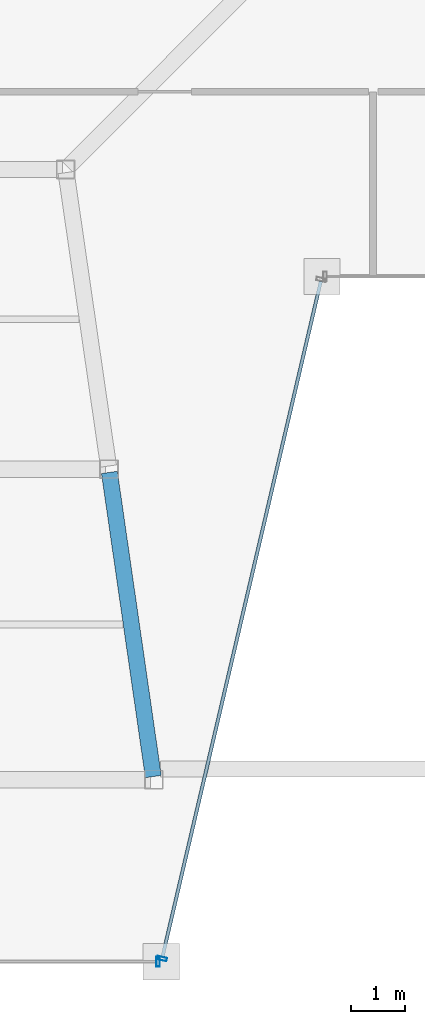
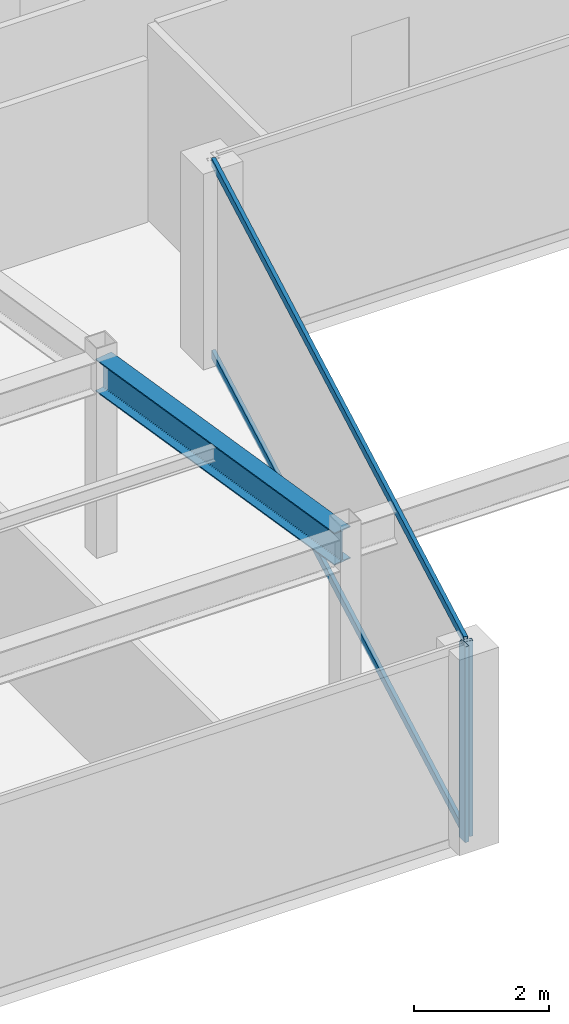
# One storey, part 6 of 32: 4 members, 1 beam, 2 elements without a shape of their own.
"""IFC4 building model written with IfcOpenShell, lengths in metres."""

from ifc_helpers import new_model, si_unit, direction, frame, origin, origin_2d, place, context, subcontext, project, spatial, hollow_rectangle, i_section, extrude, material, material_profile, profile_set, type_object, element, aggregate, save


model = new_model("IFC4")

# Units and contexts
model_context = context("Model", 3, precision=1e-05, world=origin(), true_north=direction((0.0, 1.0)))
body_context = subcontext(model_context, "Body", "Model", "MODEL_VIEW")
ifc_project = project(units=[si_unit("LENGTHUNIT", "METRE"), si_unit("AREAUNIT", "SQUARE_METRE"), si_unit("VOLUMEUNIT", "CUBIC_METRE"), si_unit("PLANEANGLEUNIT", "RADIAN"), si_unit("MASSUNIT", "GRAM", prefix="KILO")], contexts=[model_context])

# Site, building, storey
site_placement = place(None, origin())
site = spatial("IfcSite", under=ifc_project, at=site_placement, CompositionType="ELEMENT")
building_placement = place(site_placement, origin())
building = spatial("IfcBuilding", under=site, at=building_placement, Name="Saevonmaru Cultural Tower", CompositionType="ELEMENT")
storey_placement = place(building_placement, frame((0.0, 0.0, 257.199951171875)))
storey = spatial("IfcBuildingStorey", under=building, at=storey_placement, Name="L60", CompositionType="ELEMENT", Elevation=257.199951171875)

# Beam
ifc_material_1 = material(Name="Steel SM355", Category="steel")
ifc_material_profile_1 = material_profile(ifc_material_1, i_section(OverallWidth=0.300048828125, OverallDepth=0.587890625, WebThickness=0.011962890625, FlangeThickness=0.02001953125, FilletRadius=0.02392578125, at=origin_2d()), Name="H-588x300x12x20")
ifc_profile_set_1 = profile_set([ifc_material_profile_1], Name="Steel SM355")
beam_type = type_object("IfcBeamType", Name="BM-G-H588", PredefinedType="BEAM", material=ifc_profile_set_1)
beam_placement = place(storey_placement, frame((20.4453125, 26.259521484375, 3.256103515625), z_axis=(-0.142826510921, 0.989747739466, 0.0), x_axis=(-0.989747739466, -0.142826510921, 0.0)))
element("IfcBeam", 1, at=beam_placement, inside=storey, type_object=beam_type, Name="L60 West Atrium Girder 1", PredefinedType="BEAM", context=body_context, shape_type="SweptSolid", body=[
    extrude(i_section(OverallWidth=0.300048828125, OverallDepth=0.587890625, WebThickness=0.011962890625, FlangeThickness=0.02001953125, FilletRadius=0.02392578125, at=origin_2d()), origin(), (0.0, 0.0, 1.0), 5.739990234375),
])

# Curtain wall, member
ifc_material_2 = material(Name="Satin Bronze Anodised Aluminium", Category="aluminium")
curtain_wall_type = type_object("IfcCurtainWallType", Name="CW-TYP-B", PredefinedType="NOTDEFINED", material=ifc_material_2)
curtain_wall_1_placement = place(storey_placement, origin())
curtain_wall_1 = element("IfcCurtainWall", 2, at=curtain_wall_1_placement, inside=storey, type_object=curtain_wall_type, Name="L60 Unitised Curtain Wall E2", PredefinedType="NOTDEFINED")
ifc_material_profile_2 = material_profile(ifc_material_2, hollow_rectangle(XDim=0.06494140625, YDim=0.179931640625, WallThickness=0.00390625, at=origin_2d()), Name="ALU-MULL-180x65x4")
ifc_profile_set_2 = profile_set([ifc_material_profile_2], Name="Satin Bronze Anodised Aluminium")
member_type_1 = type_object("IfcMemberType", Name="ML-CW-180x65", PredefinedType="MULLION", material=ifc_profile_set_2)
member_1_placement = place(storey_placement, frame((20.53564453125, 22.800048828125, 0.0), z_axis=(0.0, 0.0, 1.0), x_axis=(1.0, 0.0, 0.0)))
member_1 = element("IfcMember", 3, at=member_1_placement, type_object=member_type_1, Name="CW-TW-L60-E2 mullion 2", PredefinedType="MULLION", context=body_context, shape_type="SweptSolid", body=[
    extrude(hollow_rectangle(XDim=0.06494140625, YDim=0.179931640625, WallThickness=0.00390625, at=origin_2d()), origin(), (0.0, 0.0, 1.0), 3.550048828125),
])
aggregate(curtain_wall_1, [member_1])

# Curtain wall, members
curtain_wall_2_placement = place(storey_placement, origin())
curtain_wall_2 = element("IfcCurtainWall", 4, at=curtain_wall_2_placement, inside=storey, type_object=curtain_wall_type, Name="L60 Unitised Curtain Wall E3", PredefinedType="NOTDEFINED")
member_2_placement = place(storey_placement, frame((20.609375, 22.8583984375, 0.0), z_axis=(0.0, 0.0, 1.0), x_axis=(0.228189509449, 0.973616735568, 0.0)))
member_2 = element("IfcMember", 5, at=member_2_placement, type_object=member_type_1, Name="CW-TW-L60-E3 mullion 1", PredefinedType="MULLION", context=body_context, shape_type="SweptSolid", body=[
    extrude(hollow_rectangle(XDim=0.06494140625, YDim=0.179931640625, WallThickness=0.00390625, at=origin_2d()), origin(), (0.0, 0.0, 1.0), 3.550048828125),
])
ifc_material_profile_3 = material_profile(ifc_material_2, hollow_rectangle(XDim=0.06494140625, YDim=0.14990234375, WallThickness=0.00390625, at=origin_2d()), Name="ALU-TRAN-150x65x4")
ifc_profile_set_3 = profile_set([ifc_material_profile_3], Name="Satin Bronze Anodised Aluminium")
member_type_2 = type_object("IfcMemberType", Name="TR-CW-150x65", PredefinedType="USERDEFINED", material=ifc_profile_set_3)
member_3_placement = place(storey_placement, frame((20.61669921875, 22.89013671875, 0.032470703125), z_axis=(0.228189927903, 0.973616637493, 0.0), x_axis=(-0.973616637493, 0.228189927903, 0.0)))
member_3 = element("IfcMember", 6, at=member_3_placement, type_object=member_type_2, Name="CW-TW-L60-E3 transom 1.1", ObjectType="TRANSOM", PredefinedType="USERDEFINED", context=body_context, shape_type="SweptSolid", body=[
    extrude(hollow_rectangle(XDim=0.06494140625, YDim=0.14990234375, WallThickness=0.00390625, at=origin_2d()), origin(), (0.0, 0.0, 1.0), 12.9619140625),
])
member_4_placement = place(storey_placement, frame((20.61669921875, 22.89013671875, 3.517578125), z_axis=(0.228189927903, 0.973616637493, 0.0), x_axis=(-0.973616637493, 0.228189927903, 0.0)))
member_4 = element("IfcMember", 7, at=member_4_placement, type_object=member_type_2, Name="CW-TW-L60-E3 transom 1.2", ObjectType="TRANSOM", PredefinedType="USERDEFINED", context=body_context, shape_type="SweptSolid", body=[
    extrude(hollow_rectangle(XDim=0.06494140625, YDim=0.14990234375, WallThickness=0.00390625, at=origin_2d()), origin(), (0.0, 0.0, 1.0), 12.9619140625),
])
aggregate(curtain_wall_2, [member_2, member_3, member_4])

save(model, "model.ifc")
